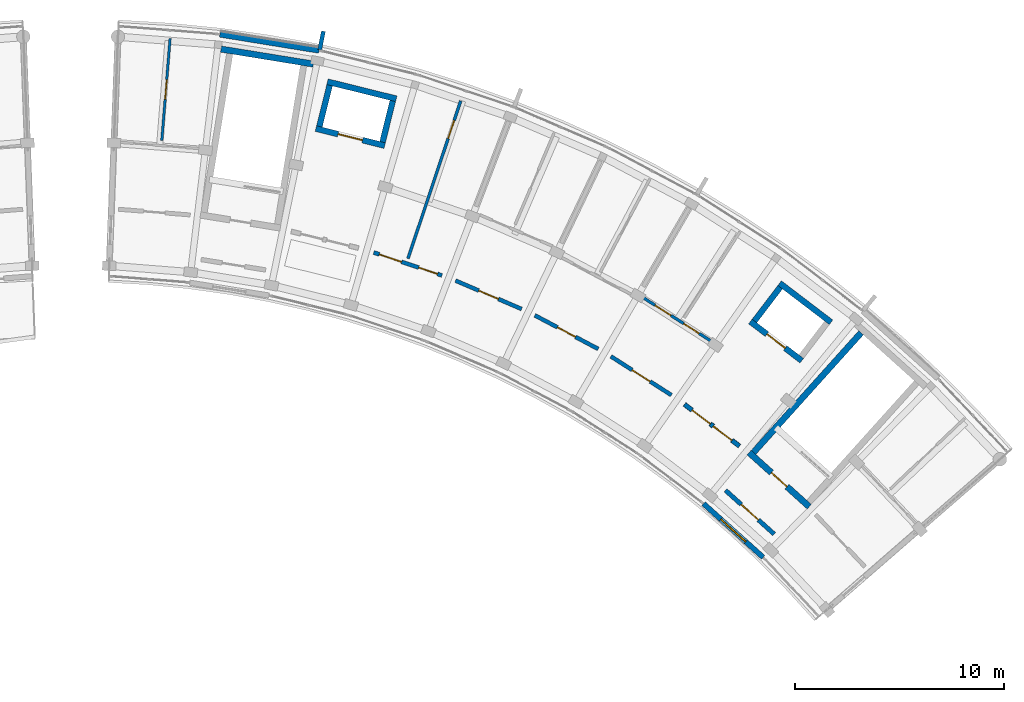
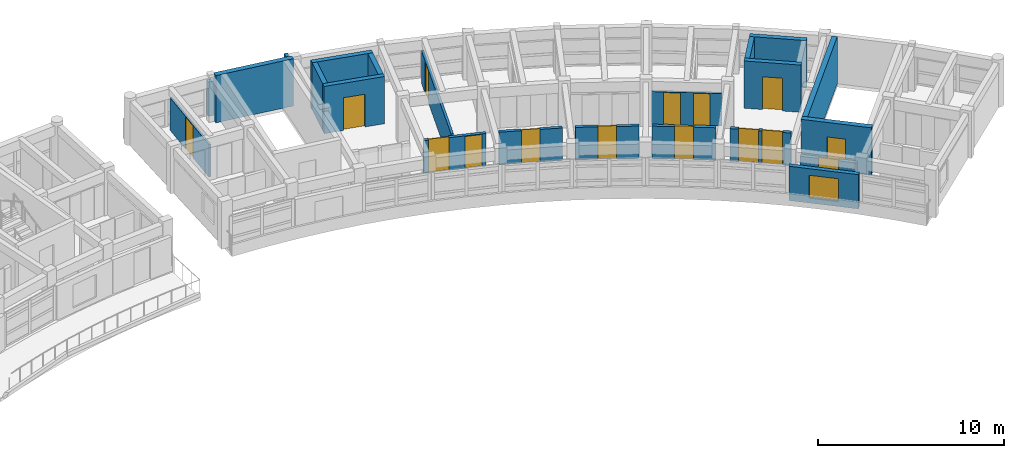
# One storey, part 17 of 23: 22 walls, 15 doors, 1 window, 16 openings.
"""IFC4 building model written with IfcOpenShell, lengths in metres."""

from ifc_helpers import new_model, si_unit, direction, frame, frame_2d, origin, place, context, subcontext, project, spatial, rectangle, extrude, material, layer, layer_set, type_object, element, fill, save


model = new_model("IFC4")

# Units and contexts
model_context = context("Model", 3, precision=1e-05, world=origin(), true_north=direction((0.0, 1.0)))
body_context = subcontext(model_context, "Body", "Model", "MODEL_VIEW")
ifc_project = project(units=[si_unit("LENGTHUNIT", "METRE"), si_unit("AREAUNIT", "SQUARE_METRE"), si_unit("VOLUMEUNIT", "CUBIC_METRE"), si_unit("PLANEANGLEUNIT", "RADIAN"), si_unit("MASSUNIT", "GRAM", prefix="KILO")], contexts=[model_context])

# Site, building, storey
site_placement = place(None, origin())
site = spatial("IfcSite", under=ifc_project, at=site_placement, CompositionType="ELEMENT")
building_placement = place(site_placement, origin())
building = spatial("IfcBuilding", under=site, at=building_placement, Name="Zimvara Arc Housing Community", CompositionType="ELEMENT")
storey_placement = place(building_placement, frame((0.0, 0.0, 36.0)))
storey = spatial("IfcBuildingStorey", under=building, at=storey_placement, Name="L11", CompositionType="ELEMENT", Elevation=36.0)

# Wall
ifc_material_1 = material(Name="Board-Marked Fair-Faced Concrete C35/45", Category="concrete")
ifc_layer_1 = layer(ifc_material_1, 0.195068359375)
ifc_layer_set_1 = layer_set([ifc_layer_1], Name="Board-Marked Fair-Faced Concrete C35/45")
wall_type_1 = type_object("IfcWallType", Name="EWL-PARA-195", PredefinedType="PARAPET", material=ifc_layer_set_1)
wall_1_placement = place(storey_placement, frame((56.907470703125, 102.714599609375, 0.0), z_axis=(0.0, 0.0, 1.0), x_axis=(0.200183211319, 0.979758481416, 0.0)))
element("IfcWall", 1, at=wall_1_placement, inside=storey, type_object=wall_type_1, Name="finwall:blkB:L11:out:b2", PredefinedType="PARAPET", context=body_context, shape_type="SweptSolid", body=[
    extrude(rectangle(XDim=0.900146484375, YDim=0.195068359375, at=frame_2d((0.4501953125, 0.0))), origin(), (0.0, 0.0, 1.0), 2.25),
])

# Wall, opening, window
ifc_material_2 = material(Name="Pigmented Fair-Faced Concrete C35/45", Category="concrete")
ifc_layer_2 = layer(ifc_material_2, 0.2451171875)
ifc_layer_set_2 = layer_set([ifc_layer_2], Name="Pigmented Fair-Faced Concrete C35/45")
wall_type_2 = type_object("IfcWallType", Name="EWL-PIGM-245", PredefinedType="SOLIDWALL", material=ifc_layer_set_2)
wall_2_placement = place(storey_placement, frame((75.26708984375, 81.003173828125, 0.0), z_axis=(0.0, 0.0, 1.0), x_axis=(0.743363835609, -0.668887290886, 0.0)))
wall_2 = element("IfcWall", 2, at=wall_2_placement, inside=storey, type_object=wall_type_2, Name="ewall:blkB:L11:in:b8", PredefinedType="SOLIDWALL", context=body_context, shape_type="SweptSolid", body=[
    extrude(rectangle(XDim=3.83203125, YDim=0.2451171875, at=frame_2d((1.916015625, 0.0))), origin(), (0.0, 0.0, 1.0), 2.25),
])
opening_1_placement = place(wall_2_placement, frame((1.1162109375, 0.0, 0.320068359375)))
opening_1 = element("IfcOpeningElement", 3, at=opening_1_placement, cuts=wall_2, Name="Opening W03", PredefinedType="OPENING", context=body_context, shape_type="SweptSolid", body=[
    extrude(rectangle(XDim=1.60009765625, YDim=1.5, at=frame_2d((0.800048828125, 0.75))), frame((0.0, 0.132568359375, 0.0), z_axis=(0.0, -1.0, 0.0), x_axis=(1.0, 0.0, 0.0)), (0.0, 0.0, 1.0), 0.26513671875),
])
ifc_material_3 = material(Name="Solar Control Low-E Double Glazing", Category="glass")
window_type = type_object("IfcWindowType", Name="WIN-RES-1600x1500", PartitioningType="DOUBLE_PANEL_VERTICAL", PredefinedType="WINDOW", material=ifc_material_3)
window_placement = place(opening_1_placement, origin())
window = element("IfcWindow", 4, at=window_placement, inside=storey, type_object=window_type, Name="win:blkB:L11:in:b8", OverallHeight=1.5, OverallWidth=1.60009765625, PartitioningType="DOUBLE_PANEL_VERTICAL", PredefinedType="WINDOW", context=body_context, shape_type="SweptSolid", body=[
    extrude(rectangle(XDim=1.60009765625, YDim=1.5, at=frame_2d((0.800048828125, 0.75))), frame((0.0, 0.030029296875, 0.0), z_axis=(0.0, -1.0, 0.0), x_axis=(1.0, 0.0, 0.0)), (0.0, 0.0, 1.0), 0.06005859375),
])
fill(opening_1, window)

# Wall
ifc_material_4 = material(Name="Board-Marked Fair-Faced Concrete C35/45", Category="concrete")
ifc_layer_3 = layer(ifc_material_4, 0.27197265625)
ifc_layer_set_3 = layer_set([ifc_layer_3], Name="Board-Marked Fair-Faced Concrete C35/45")
wall_type_3 = type_object("IfcWallType", Name="EWL-VAR-22", PredefinedType="SOLIDWALL", material=ifc_layer_set_3)
wall_3_placement = place(storey_placement, frame((52.1328125, 103.44921875, 0.0), z_axis=(0.0, 0.0, 1.0), x_axis=(0.987080750493, -0.160223568819, 0.0)))
element("IfcWall", 5, at=wall_3_placement, inside=storey, type_object=wall_type_3, Name="ewall:blkB:L11:out:b1", PredefinedType="SOLIDWALL", context=body_context, shape_type="SweptSolid", body=[
    extrude(rectangle(XDim=4.808837890625, YDim=0.27197265625, at=frame_2d((2.404296875, 0.0))), origin(), (0.0, 0.0, 1.0), 2.25),
])

# Wall, openings, doors
ifc_material_5 = material(Name="Concrete C35/45", Category="concrete")
ifc_layer_4 = layer(ifc_material_5, 0.2099609375)
ifc_layer_set_4 = layer_set([ifc_layer_4], Name="Concrete C35/45")
wall_type_4 = type_object("IfcWallType", Name="IWL-CCF-210", PredefinedType="SOLIDWALL", material=ifc_layer_set_4)
wall_4_placement = place(storey_placement, frame((74.356689453125, 85.755859375, 0.0), z_axis=(0.0, 0.0, 1.0), x_axis=(0.795498026433, -0.605956178235, 0.0)))
wall_4 = element("IfcWall", 6, at=wall_4_placement, inside=storey, type_object=wall_type_4, Name="iwall:blkB:L11:ll_div:b7", PredefinedType="SOLIDWALL", context=body_context, shape_type="SweptSolid", body=[
    extrude(rectangle(XDim=3.296142578125, YDim=0.2099609375, at=frame_2d((1.64794921875, 0.0))), origin(), (0.0, 0.0, 1.0), 2.139892578125),
])
opening_2_placement = place(wall_4_placement, frame((0.449951171875, 0.0, 0.0)))
opening_2 = element("IfcOpeningElement", 7, at=opening_2_placement, cuts=wall_4, Name="Opening FD-CCF1", PredefinedType="OPENING", context=body_context, shape_type="SweptSolid", body=[
    extrude(rectangle(XDim=1.10009765625, YDim=2.14990234375, at=frame_2d((0.550048828125, 1.074951171875))), frame((0.0, 0.114990234375, 0.0), z_axis=(0.0, -1.0, 0.0), x_axis=(1.0, 0.0, 0.0)), (0.0, 0.0, 1.0), 0.22998046875),
])
opening_3_placement = place(wall_4_placement, frame((1.72607421875, 0.0, 0.0)))
opening_3 = element("IfcOpeningElement", 8, at=opening_3_placement, cuts=wall_4, Name="Opening D07", PredefinedType="OPENING", context=body_context, shape_type="SweptSolid", body=[
    extrude(rectangle(XDim=1.1201171875, YDim=2.14990234375, at=frame_2d((0.56005859375, 1.074951171875))), frame((0.0, 0.114990234375, 0.0), z_axis=(0.0, -1.0, 0.0), x_axis=(1.0, 0.0, 0.0)), (0.0, 0.0, 1.0), 0.22998046875),
])
ifc_material_6 = material(Name="Mozambican Hardwood", Category="wood")
door_type_1 = type_object("IfcDoorType", Name="IDR-AMN-1120x2150", OperationType="NOTDEFINED", PredefinedType="DOOR", material=ifc_material_6)
door_1_placement = place(opening_3_placement, origin())
door_1 = element("IfcDoor", 9, at=door_1_placement, inside=storey, type_object=door_type_1, Name="idoor:blkB:L11:rs_in:b7", OperationType="SINGLE_SWING_LEFT", OverallHeight=2.14990234375, OverallWidth=1.1201171875, PredefinedType="DOOR", context=body_context, shape_type="SweptSolid", body=[
    extrude(rectangle(XDim=1.1201171875, YDim=2.14990234375, at=frame_2d((0.56005859375, 1.074951171875))), frame((0.0, 0.02490234375, 0.0), z_axis=(0.0, -1.0, 0.0), x_axis=(1.0, 0.0, 0.0)), (0.0, 0.0, 1.0), 0.050048828125),
])
fill(opening_3, door_1)
ifc_material_7 = material(Name="Anodised Aluminium AW-6063", Category="aluminium")
door_type_2 = type_object("IfcDoorType", Name="IDR-CCF-1100x2150", OperationType="NOTDEFINED", PredefinedType="DOOR", material=ifc_material_7)
door_2_placement = place(opening_2_placement, origin())
door_2 = element("IfcDoor", 10, at=door_2_placement, inside=storey, type_object=door_type_2, Name="idoor:blkB:L11:ll_in:b7", OperationType="SINGLE_SWING_RIGHT", OverallHeight=2.14990234375, OverallWidth=1.10009765625, PredefinedType="DOOR", context=body_context, shape_type="SweptSolid", body=[
    extrude(rectangle(XDim=1.10009765625, YDim=2.14990234375, at=frame_2d((0.550048828125, 1.074951171875))), frame((0.0, 0.02490234375, 0.0), z_axis=(0.0, -1.0, 0.0), x_axis=(1.0, 0.0, 0.0)), (0.0, 0.0, 1.0), 0.050048828125),
])
fill(opening_2, door_2)

# Wall, opening, door
wall_5_placement = place(storey_placement, frame((76.317138671875, 81.644287109375, 0.0), z_axis=(0.0, 0.0, 1.0), x_axis=(0.743387266925, -0.668861249718, 0.0)))
wall_5 = element("IfcWall", 11, at=wall_5_placement, inside=storey, type_object=wall_type_4, Name="iwall:blkB:L11:ccf_div:b8", PredefinedType="SOLIDWALL", context=body_context, shape_type="SweptSolid", body=[
    extrude(rectangle(XDim=3.12841796875, YDim=0.2099609375, at=frame_2d((1.564208984375, 0.0))), origin(), (0.0, 0.0, 1.0), 2.139892578125),
])
opening_4_placement = place(wall_5_placement, frame((1.014404296875, 0.0, 0.0)))
opening_4 = element("IfcOpeningElement", 12, at=opening_4_placement, cuts=wall_5, Name="Opening FD-CCF1", PredefinedType="OPENING", context=body_context, shape_type="SweptSolid", body=[
    extrude(rectangle(XDim=1.10009765625, YDim=2.14990234375, at=frame_2d((0.550048828125, 1.074951171875))), frame((0.0, 0.114990234375, 0.0), z_axis=(0.0, -1.0, 0.0), x_axis=(1.0, 0.0, 0.0)), (0.0, 0.0, 1.0), 0.22998046875),
])
door_3_placement = place(opening_4_placement, origin())
door_3 = element("IfcDoor", 13, at=door_3_placement, inside=storey, type_object=door_type_2, Name="idoor:blkB:L11:ccf_in:b8", OperationType="SINGLE_SWING_RIGHT", OverallHeight=2.14990234375, OverallWidth=1.10009765625, PredefinedType="DOOR", context=body_context, shape_type="SweptSolid", body=[
    extrude(rectangle(XDim=1.10009765625, YDim=2.14990234375, at=frame_2d((0.550048828125, 1.074951171875))), frame((0.0, 0.02490234375, 0.0), z_axis=(0.0, -1.0, 0.0), x_axis=(1.0, 0.0, 0.0)), (0.0, 0.0, 1.0), 0.050048828125),
])
fill(opening_4, door_3)

# Wall, openings, doors
ifc_material_8 = material(Name="Concrete C35/45", Category="concrete")
ifc_layer_5 = layer(ifc_material_8, 0.18994140625)
ifc_layer_set_5 = layer_set([ifc_layer_5], Name="Concrete C35/45")
wall_type_5 = type_object("IfcWallType", Name="IWL-CORR-190", PredefinedType="SOLIDWALL", material=ifc_layer_set_5)
wall_6_placement = place(storey_placement, frame((59.49658203125, 93.017578125, 0.0), z_axis=(0.0, 0.0, 1.0), x_axis=(0.947863007629, -0.318678080151, 0.0)))
wall_6 = element("IfcWall", 14, at=wall_6_placement, inside=storey, type_object=wall_type_5, Name="iwall:blkB:L11:corr_out:b3", PredefinedType="SOLIDWALL", context=body_context, shape_type="SweptSolid", body=[
    extrude(rectangle(XDim=3.43603515625, YDim=0.18994140625, at=frame_2d((1.718017578125, 0.0))), origin(), (0.0, 0.0, 1.0), 2.139892578125),
])
opening_5_placement = place(wall_6_placement, frame((0.280029296875, 0.0, 0.0)))
opening_5 = element("IfcOpeningElement", 15, at=opening_5_placement, cuts=wall_6, Name="Opening D07", PredefinedType="OPENING", context=body_context, shape_type="SweptSolid", body=[
    extrude(rectangle(XDim=1.1201171875, YDim=2.14990234375, at=frame_2d((0.56005859375, 1.074951171875))), frame((0.0, 0.10498046875, 0.0), z_axis=(0.0, -1.0, 0.0), x_axis=(1.0, 0.0, 0.0)), (0.0, 0.0, 1.0), 0.2099609375),
])
opening_6_placement = place(wall_6_placement, frame((2.26611328125, 0.0, 0.0)))
opening_6 = element("IfcOpeningElement", 16, at=opening_6_placement, cuts=wall_6, Name="Opening D06", PredefinedType="OPENING", context=body_context, shape_type="SweptSolid", body=[
    extrude(rectangle(XDim=0.949951171875, YDim=2.10009765625, at=frame_2d((0.47509765625, 1.050048828125))), frame((0.0, 0.10498046875, 0.0), z_axis=(0.0, -1.0, 0.0), x_axis=(1.0, 0.0, 0.0)), (0.0, 0.0, 1.0), 0.2099609375),
])
door_4_placement = place(opening_5_placement, origin())
door_4 = element("IfcDoor", 17, at=door_4_placement, inside=storey, type_object=door_type_1, Name="idoor:blkB:L11:amen:b3", OperationType="SINGLE_SWING_LEFT", OverallHeight=2.14990234375, OverallWidth=1.1201171875, PredefinedType="DOOR", context=body_context, shape_type="SweptSolid", body=[
    extrude(rectangle(XDim=1.1201171875, YDim=2.14990234375, at=frame_2d((0.56005859375, 1.074951171875))), frame((0.0, 0.02490234375, 0.0), z_axis=(0.0, -1.0, 0.0), x_axis=(1.0, 0.0, 0.0)), (0.0, 0.0, 1.0), 0.050048828125),
])
fill(opening_5, door_4)
ifc_material_9 = material(Name="Mozambican Hardwood", Category="wood")
door_type_3 = type_object("IfcDoorType", Name="IDR-AWC-0950x2100", OperationType="NOTDEFINED", PredefinedType="DOOR", material=ifc_material_9)
door_5_placement = place(opening_6_placement, origin())
door_5 = element("IfcDoor", 18, at=door_5_placement, inside=storey, type_object=door_type_3, Name="idoor:blkB:L11:cawc:b3", OperationType="SINGLE_SWING_RIGHT", OverallHeight=2.10009765625, OverallWidth=0.949951171875, PredefinedType="DOOR", context=body_context, shape_type="SweptSolid", body=[
    extrude(rectangle(XDim=0.949951171875, YDim=2.10009765625, at=frame_2d((0.47509765625, 1.050048828125))), frame((0.0, 0.02490234375, 0.0), z_axis=(0.0, -1.0, 0.0), x_axis=(1.0, 0.0, 0.0)), (0.0, 0.0, 1.0), 0.050048828125),
])
fill(opening_6, door_5)

# Wall, opening, door
wall_7_placement = place(storey_placement, frame((63.40673828125, 91.6728515625, 0.0), z_axis=(0.0, 0.0, 1.0), x_axis=(0.918718172399, -0.394913813008, 0.0)))
wall_7 = element("IfcWall", 19, at=wall_7_placement, inside=storey, type_object=wall_type_5, Name="iwall:blkB:L11:corr_out:b4", PredefinedType="SOLIDWALL", context=body_context, shape_type="SweptSolid", body=[
    extrude(rectangle(XDim=3.43603515625, YDim=0.18994140625, at=frame_2d((1.718017578125, 0.0))), origin(), (0.0, 0.0, 1.0), 2.139892578125),
])
opening_7_placement = place(wall_7_placement, frame((1.2080078125, 0.0, 0.0)))
opening_7 = element("IfcOpeningElement", 20, at=opening_7_placement, cuts=wall_7, Name="Opening FD-FL2", PredefinedType="OPENING", context=body_context, shape_type="SweptSolid", body=[
    extrude(rectangle(XDim=1.02001953125, YDim=2.14990234375, at=frame_2d((0.510009765625, 1.074951171875))), frame((0.0, 0.10498046875, 0.0), z_axis=(0.0, -1.0, 0.0), x_axis=(1.0, 0.0, 0.0)), (0.0, 0.0, 1.0), 0.2099609375),
])
ifc_material_10 = material(Name="Mozambican Hardwood", Category="wood")
door_type_4 = type_object("IfcDoorType", Name="IDR-FLAT-1020x2150", OperationType="NOTDEFINED", PredefinedType="DOOR", material=ifc_material_10)
door_6_placement = place(opening_7_placement, origin())
door_6 = element("IfcDoor", 21, at=door_6_placement, inside=storey, type_object=door_type_4, Name="idoor:blkB:L11:flat:b4", OperationType="SINGLE_SWING_RIGHT", OverallHeight=2.14990234375, OverallWidth=1.02001953125, PredefinedType="DOOR", context=body_context, shape_type="SweptSolid", body=[
    extrude(rectangle(XDim=1.02001953125, YDim=2.14990234375, at=frame_2d((0.510009765625, 1.074951171875))), frame((0.0, 0.02490234375, 0.0), z_axis=(0.0, -1.0, 0.0), x_axis=(1.0, 0.0, 0.0)), (0.0, 0.0, 1.0), 0.050048828125),
])
fill(opening_7, door_6)

wall_8_placement = place(storey_placement, frame((67.1943359375, 90.013916015625, 0.0), z_axis=(0.0, 0.0, 1.0), x_axis=(0.883410853063, -0.468599258099, 0.0)))
wall_8 = element("IfcWall", 22, at=wall_8_placement, inside=storey, type_object=wall_type_5, Name="iwall:blkB:L11:corr_out:b5", PredefinedType="SOLIDWALL", context=body_context, shape_type="SweptSolid", body=[
    extrude(rectangle(XDim=3.43603515625, YDim=0.18994140625, at=frame_2d((1.718017578125, 0.0))), origin(), (0.0, 0.0, 1.0), 2.139892578125),
])
opening_8_placement = place(wall_8_placement, frame((1.22802734375, 0.0, 0.0)))
opening_8 = element("IfcOpeningElement", 23, at=opening_8_placement, cuts=wall_8, Name="Opening FD-FL1", PredefinedType="OPENING", context=body_context, shape_type="SweptSolid", body=[
    extrude(rectangle(XDim=0.97998046875, YDim=2.14990234375, at=frame_2d((0.489990234375, 1.074951171875))), frame((0.0, 0.10498046875, 0.0), z_axis=(0.0, -1.0, 0.0), x_axis=(1.0, 0.0, 0.0)), (0.0, 0.0, 1.0), 0.2099609375),
])
ifc_material_11 = material(Name="Mozambican Hardwood", Category="wood")
door_type_5 = type_object("IfcDoorType", Name="IDR-FLAT-0980x2150", OperationType="NOTDEFINED", PredefinedType="DOOR", material=ifc_material_11)
door_7_placement = place(opening_8_placement, origin())
door_7 = element("IfcDoor", 24, at=door_7_placement, inside=storey, type_object=door_type_5, Name="idoor:blkB:L11:flat:b5", OperationType="SINGLE_SWING_RIGHT", OverallHeight=2.14990234375, OverallWidth=0.97998046875, PredefinedType="DOOR", context=body_context, shape_type="SweptSolid", body=[
    extrude(rectangle(XDim=0.97998046875, YDim=2.14990234375, at=frame_2d((0.489990234375, 1.074951171875))), frame((0.0, 0.02490234375, 0.0), z_axis=(0.0, -1.0, 0.0), x_axis=(1.0, 0.0, 0.0)), (0.0, 0.0, 1.0), 0.050048828125),
])
fill(opening_8, door_7)

wall_9_placement = place(storey_placement, frame((70.833740234375, 88.05126953125, 0.0), z_axis=(0.0, 0.0, 1.0), x_axis=(0.842257205985, -0.539075874963, 0.0)))
wall_9 = element("IfcWall", 25, at=wall_9_placement, inside=storey, type_object=wall_type_5, Name="iwall:blkB:L11:corr_out:b6", PredefinedType="SOLIDWALL", context=body_context, shape_type="SweptSolid", body=[
    extrude(rectangle(XDim=3.43603515625, YDim=0.18994140625, at=frame_2d((1.718017578125, 0.0))), origin(), (0.0, 0.0, 1.0), 2.139892578125),
])
opening_9_placement = place(wall_9_placement, frame((1.2080078125, 0.0, 0.0)))
opening_9 = element("IfcOpeningElement", 26, at=opening_9_placement, cuts=wall_9, Name="Opening FD-FL2", PredefinedType="OPENING", context=body_context, shape_type="SweptSolid", body=[
    extrude(rectangle(XDim=1.02001953125, YDim=2.14990234375, at=frame_2d((0.510009765625, 1.074951171875))), frame((0.0, 0.10498046875, 0.0), z_axis=(0.0, -1.0, 0.0), x_axis=(1.0, 0.0, 0.0)), (0.0, 0.0, 1.0), 0.2099609375),
])
door_8_placement = place(opening_9_placement, origin())
door_8 = element("IfcDoor", 27, at=door_8_placement, inside=storey, type_object=door_type_4, Name="idoor:blkB:L11:flat:b6", OperationType="SINGLE_SWING_RIGHT", OverallHeight=2.14990234375, OverallWidth=1.02001953125, PredefinedType="DOOR", context=body_context, shape_type="SweptSolid", body=[
    extrude(rectangle(XDim=1.02001953125, YDim=2.14990234375, at=frame_2d((0.510009765625, 1.074951171875))), frame((0.0, 0.02490234375, 0.0), z_axis=(0.0, -1.0, 0.0), x_axis=(1.0, 0.0, 0.0)), (0.0, 0.0, 1.0), 0.050048828125),
])
fill(opening_9, door_8)

ifc_material_12 = material(Name="Painted Acoustic Plasterboard")
ifc_layer_6 = layer(ifc_material_12, 0.1201171875)
ifc_layer_set_6 = layer_set([ifc_layer_6], Name="Painted Acoustic Plasterboard")
wall_type_6 = type_object("IfcWallType", Name="IWL-PART-120", PredefinedType="PARTITIONING", material=ifc_layer_set_6)
wall_10_placement = place(storey_placement, frame((49.359619140625, 98.373779296875, 0.0), z_axis=(0.0, 0.0, 1.0), x_axis=(0.080666032472, 0.996741185667, 0.0)))
wall_10 = element("IfcWall", 28, at=wall_10_placement, inside=storey, type_object=wall_type_6, Name="iwall:blkB:L11:bed_div:b0", PredefinedType="PARTITIONING", context=body_context, shape_type="SweptSolid", body=[
    extrude(rectangle(XDim=4.89990234375, YDim=0.1201171875, at=frame_2d((2.449951171875, 0.0))), origin(), (0.0, 0.0, 1.0), 2.139892578125),
])
opening_10_placement = place(wall_10_placement, frame((1.97998046875, 0.0, 0.0)))
opening_10 = element("IfcOpeningElement", 29, at=opening_10_placement, cuts=wall_10, Name="Opening D03", PredefinedType="OPENING", context=body_context, shape_type="SweptSolid", body=[
    extrude(rectangle(XDim=0.93994140625, YDim=2.10009765625, at=frame_2d((0.469970703125, 1.050048828125))), frame((0.0, 0.070068359375, 0.0), z_axis=(0.0, -1.0, 0.0), x_axis=(1.0, 0.0, 0.0)), (0.0, 0.0, 1.0), 0.14013671875),
])
ifc_material_13 = material(Name="Mozambican Hardwood", Category="wood")
door_type_6 = type_object("IfcDoorType", Name="IDR-RM-0940x2100", OperationType="NOTDEFINED", PredefinedType="DOOR", material=ifc_material_13)
door_9_placement = place(opening_10_placement, origin())
door_9 = element("IfcDoor", 30, at=door_9_placement, inside=storey, type_object=door_type_6, Name="idoor:blkB:L11:bed_d:b0", OperationType="SINGLE_SWING_LEFT", OverallHeight=2.10009765625, OverallWidth=0.93994140625, PredefinedType="DOOR", context=body_context, shape_type="SweptSolid", body=[
    extrude(rectangle(XDim=0.93994140625, YDim=2.10009765625, at=frame_2d((0.469970703125, 1.050048828125))), frame((0.0, 0.02490234375, 0.0), z_axis=(0.0, -1.0, 0.0), x_axis=(1.0, 0.0, 0.0)), (0.0, 0.0, 1.0), 0.050048828125),
])
fill(opening_10, door_9)

ifc_material_14 = material(Name="Painted Acoustic Plasterboard")
ifc_layer_7 = layer(ifc_material_14, 0.139892578125)
ifc_layer_set_7 = layer_set([ifc_layer_7], Name="Painted Acoustic Plasterboard")
wall_type_7 = type_object("IfcWallType", Name="IWL-PART-140", PredefinedType="PARTITIONING", material=ifc_layer_set_7)
wall_11_placement = place(storey_placement, frame((61.129638671875, 92.72412109375, 0.0), z_axis=(0.0, 0.0, 1.0), x_axis=(0.317204178278, 0.948357268798, 0.0)))
wall_11 = element("IfcWall", 31, at=wall_11_placement, inside=storey, type_object=wall_type_7, Name="iwall:blkB:L11:amen_div:b3", PredefinedType="PARTITIONING", context=body_context, shape_type="SweptSolid", body=[
    extrude(rectangle(XDim=7.949951171875, YDim=0.139892578125, at=frame_2d((3.97509765625, 0.0))), origin(), (0.0, 0.0, 1.0), 2.139892578125),
])
opening_11_placement = place(wall_11_placement, frame((6.050048828125, 0.0, 0.0)))
opening_11 = element("IfcOpeningElement", 32, at=opening_11_placement, cuts=wall_11, Name="Opening D02", PredefinedType="OPENING", context=body_context, shape_type="SweptSolid", body=[
    extrude(rectangle(XDim=0.919921875, YDim=2.10009765625, at=frame_2d((0.4599609375, 1.050048828125))), frame((0.0, 0.079833984375, 0.0), z_axis=(0.0, -1.0, 0.0), x_axis=(1.0, 0.0, 0.0)), (0.0, 0.0, 1.0), 0.159912109375),
])
ifc_material_15 = material(Name="Mozambican Hardwood", Category="wood")
door_type_7 = type_object("IfcDoorType", Name="IDR-RM-0920x2100", OperationType="NOTDEFINED", PredefinedType="DOOR", material=ifc_material_15)
door_10_placement = place(opening_11_placement, origin())
door_10 = element("IfcDoor", 33, at=door_10_placement, inside=storey, type_object=door_type_7, Name="idoor:blkB:L11:laund_d:b3", OperationType="SINGLE_SWING_LEFT", OverallHeight=2.10009765625, OverallWidth=0.919921875, PredefinedType="DOOR", context=body_context, shape_type="SweptSolid", body=[
    extrude(rectangle(XDim=0.919921875, YDim=2.10009765625, at=frame_2d((0.4599609375, 1.050048828125))), frame((0.0, 0.02490234375, 0.0), z_axis=(0.0, -1.0, 0.0), x_axis=(1.0, 0.0, 0.0)), (0.0, 0.0, 1.0), 0.050048828125),
])
fill(opening_11, door_10)

# Wall, openings, doors
wall_12_placement = place(storey_placement, frame((72.4052734375, 90.841552734375, 0.0), z_axis=(0.0, 0.0, 1.0), x_axis=(0.842271400662, -0.539053696423, 0.0)))
wall_12 = element("IfcWall", 34, at=wall_12_placement, inside=storey, type_object=wall_type_7, Name="iwall:blkB:L11:srv:b6", PredefinedType="PARTITIONING", context=body_context, shape_type="SweptSolid", body=[
    extrude(rectangle(XDim=3.797119140625, YDim=0.139892578125, at=frame_2d((1.8984375, 0.0))), origin(), (0.0, 0.0, 1.0), 2.139892578125),
])
opening_12_placement = place(wall_12_placement, frame((0.64990234375, 0.0, 0.0)))
opening_12 = element("IfcOpeningElement", 35, at=opening_12_placement, cuts=wall_12, Name="Opening D01", PredefinedType="OPENING", context=body_context, shape_type="SweptSolid", body=[
    extrude(rectangle(XDim=0.89990234375, YDim=2.10009765625, at=frame_2d((0.449951171875, 1.050048828125))), frame((0.0, 0.079833984375, 0.0), z_axis=(0.0, -1.0, 0.0), x_axis=(1.0, 0.0, 0.0)), (0.0, 0.0, 1.0), 0.159912109375),
])
opening_13_placement = place(wall_12_placement, frame((2.267333984375, 0.0, 0.0)))
opening_13 = element("IfcOpeningElement", 36, at=opening_13_placement, cuts=wall_12, Name="Opening D05", PredefinedType="OPENING", context=body_context, shape_type="SweptSolid", body=[
    extrude(rectangle(XDim=0.8798828125, YDim=2.10009765625, at=frame_2d((0.43994140625, 1.050048828125))), frame((0.0, 0.079833984375, 0.0), z_axis=(0.0, -1.0, 0.0), x_axis=(1.0, 0.0, 0.0)), (0.0, 0.0, 1.0), 0.159912109375),
])
ifc_material_16 = material(Name="Mozambican Hardwood", Category="wood")
door_type_8 = type_object("IfcDoorType", Name="IDR-RM-0900x2100", OperationType="NOTDEFINED", PredefinedType="DOOR", material=ifc_material_16)
door_11_placement = place(opening_12_placement, origin())
door_11 = element("IfcDoor", 37, at=door_11_placement, inside=storey, type_object=door_type_8, Name="idoor:blkB:L11:kit_liv:b6", OperationType="SINGLE_SWING_LEFT", OverallHeight=2.10009765625, OverallWidth=0.89990234375, PredefinedType="DOOR", context=body_context, shape_type="SweptSolid", body=[
    extrude(rectangle(XDim=0.89990234375, YDim=2.10009765625, at=frame_2d((0.449951171875, 1.050048828125))), frame((0.0, 0.02490234375, 0.0), z_axis=(0.0, -1.0, 0.0), x_axis=(1.0, 0.0, 0.0)), (0.0, 0.0, 1.0), 0.050048828125),
])
fill(opening_12, door_11)
ifc_material_17 = material(Name="Mozambican Hardwood", Category="wood")
door_type_9 = type_object("IfcDoorType", Name="IDR-WC-0880x2100", OperationType="NOTDEFINED", PredefinedType="DOOR", material=ifc_material_17)
door_12_placement = place(opening_13_placement, origin())
door_12 = element("IfcDoor", 38, at=door_12_placement, inside=storey, type_object=door_type_9, Name="idoor:blkB:L11:bath_d:b6", OperationType="SINGLE_SWING_RIGHT", OverallHeight=2.10009765625, OverallWidth=0.8798828125, PredefinedType="DOOR", context=body_context, shape_type="SweptSolid", body=[
    extrude(rectangle(XDim=0.8798828125, YDim=2.10009765625, at=frame_2d((0.43994140625, 1.050048828125))), frame((0.0, 0.02490234375, 0.0), z_axis=(0.0, -1.0, 0.0), x_axis=(1.0, 0.0, 0.0)), (0.0, 0.0, 1.0), 0.050048828125),
])
fill(opening_13, door_12)

# Wall, opening, door
ifc_material_18 = material(Name="Concrete C40/50", Category="concrete")
ifc_layer_8 = layer(ifc_material_18, 0.280029296875)
ifc_layer_set_8 = layer_set([ifc_layer_8], Name="Concrete C40/50")
wall_type_8 = type_object("IfcWallType", Name="WL-CORE-280", PredefinedType="SHEAR", material=ifc_layer_set_8)
wall_13_placement = place(storey_placement, frame((60.017578125, 98.127685546875, 0.0), z_axis=(0.0, 0.0, 1.0), x_axis=(-0.970707542441, 0.240264160972, 0.0)))
wall_13 = element("IfcWall", 39, at=wall_13_placement, inside=storey, type_object=wall_type_8, Name="lwall:LF-B1:L11:front", PredefinedType="SHEAR", context=body_context, shape_type="SweptSolid", body=[
    extrude(rectangle(XDim=3.389892578125, YDim=0.280029296875, at=frame_2d((1.69482421875, 0.0))), origin(), (0.0, 0.0, 1.0), 3.10009765625),
])
opening_14_placement = place(wall_13_placement, frame((1.094970703125, 0.0, 0.0)))
opening_14 = element("IfcOpeningElement", 40, at=opening_14_placement, cuts=wall_13, Name="Opening LD-LF-B1", PredefinedType="OPENING", context=body_context, shape_type="SweptSolid", body=[
    extrude(rectangle(XDim=1.199951171875, YDim=2.14990234375, at=frame_2d((0.60009765625, 1.074951171875))), frame((0.0, 0.14990234375, 0.0), z_axis=(0.0, -1.0, 0.0), x_axis=(1.0, 0.0, 0.0)), (0.0, 0.0, 1.0), 0.300048828125),
])
ifc_material_19 = material(Name="Anodised Aluminium AW-6063", Category="aluminium")
door_type_10 = type_object("IfcDoorType", Name="IDR-LD-1200x2150", OperationType="DOUBLE_DOOR_SLIDING", PredefinedType="DOOR", material=ifc_material_19)
door_13_placement = place(opening_14_placement, origin())
door_13 = element("IfcDoor", 41, at=door_13_placement, inside=storey, type_object=door_type_10, Name="Lift LF-B1 Sliding Landing Door L11", OperationType="DOUBLE_DOOR_SLIDING", OverallHeight=2.14990234375, OverallWidth=1.199951171875, PredefinedType="DOOR", context=body_context, shape_type="SweptSolid", body=[
    extrude(rectangle(XDim=1.199951171875, YDim=2.14990234375, at=frame_2d((0.60009765625, 1.074951171875))), frame((0.0, 0.02490234375, 0.0), z_axis=(0.0, -1.0, 0.0), x_axis=(1.0, 0.0, 0.0)), (0.0, 0.0, 1.0), 0.050048828125),
])
fill(opening_14, door_13)

# Walls
wall_14_placement = place(storey_placement, frame((60.572509765625, 100.3701171875, 0.0), z_axis=(0.0, 0.0, 1.0), x_axis=(-0.970711699588, 0.240247364777, 0.0)))
element("IfcWall", 42, at=wall_14_placement, inside=storey, type_object=wall_type_8, Name="lwall:LF-B1:L11:back", PredefinedType="SHEAR", context=body_context, shape_type="SweptSolid", body=[
    extrude(rectangle(XDim=3.39013671875, YDim=0.280029296875, at=frame_2d((1.695068359375, 0.0))), origin(), (0.0, 0.0, 1.0), 3.10009765625),
])
wall_15_placement = place(storey_placement, frame((59.915283203125, 98.29736328125, 0.0), z_axis=(0.0, 0.0, 1.0), x_axis=(0.2402993748, 0.970698825832, 0.0)))
element("IfcWall", 43, at=wall_15_placement, inside=storey, type_object=wall_type_8, Name="lwall:LF-B1:L11:left", PredefinedType="SHEAR", context=body_context, shape_type="SweptSolid", body=[
    extrude(rectangle(XDim=2.030029296875, YDim=0.280029296875, at=frame_2d((1.01513671875, 0.0))), origin(), (0.0, 0.0, 1.0), 3.10009765625),
])
wall_16_placement = place(storey_placement, frame((56.896484375, 99.04443359375, 0.0), z_axis=(0.0, 0.0, 1.0), x_axis=(0.240186044774, 0.970726873995, 0.0)))
element("IfcWall", 44, at=wall_16_placement, inside=storey, type_object=wall_type_8, Name="lwall:LF-B1:L11:right", PredefinedType="SHEAR", context=body_context, shape_type="SweptSolid", body=[
    extrude(rectangle(XDim=2.02978515625, YDim=0.280029296875, at=frame_2d((1.014892578125, 0.0))), origin(), (0.0, 0.0, 1.0), 3.10009765625),
])

# Wall, opening, door
wall_17_placement = place(storey_placement, frame((79.96142578125, 87.84375, 0.0), z_axis=(0.0, 0.0, 1.0), x_axis=(-0.795464365424, 0.606000365793, 0.0)))
wall_17 = element("IfcWall", 45, at=wall_17_placement, inside=storey, type_object=wall_type_8, Name="lwall:LP-B2:L11:front", PredefinedType="SHEAR", context=body_context, shape_type="SweptSolid", body=[
    extrude(rectangle(XDim=3.090087890625, YDim=0.280029296875, at=frame_2d((1.544921875, 0.0))), origin(), (0.0, 0.0, 1.0), 3.10009765625),
])
opening_15_placement = place(wall_17_placement, frame((0.9951171875, 0.0, 0.0)))
opening_15 = element("IfcOpeningElement", 46, at=opening_15_placement, cuts=wall_17, Name="Opening LD-LP-B2", PredefinedType="OPENING", context=body_context, shape_type="SweptSolid", body=[
    extrude(rectangle(XDim=1.10009765625, YDim=2.14990234375, at=frame_2d((0.550048828125, 1.074951171875))), frame((0.0, 0.14990234375, 0.0), z_axis=(0.0, -1.0, 0.0), x_axis=(1.0, 0.0, 0.0)), (0.0, 0.0, 1.0), 0.300048828125),
])
ifc_material_20 = material(Name="Anodised Aluminium AW-6063", Category="aluminium")
door_type_11 = type_object("IfcDoorType", Name="IDR-LD-1100x2150", OperationType="DOUBLE_DOOR_SLIDING", PredefinedType="DOOR", material=ifc_material_20)
door_14_placement = place(opening_15_placement, origin())
door_14 = element("IfcDoor", 47, at=door_14_placement, inside=storey, type_object=door_type_11, Name="Lift LP-B2 Sliding Landing Door L11", OperationType="DOUBLE_DOOR_SLIDING", OverallHeight=2.14990234375, OverallWidth=1.10009765625, PredefinedType="DOOR", context=body_context, shape_type="SweptSolid", body=[
    extrude(rectangle(XDim=1.10009765625, YDim=2.14990234375, at=frame_2d((0.550048828125, 1.074951171875))), frame((0.0, 0.02490234375, 0.0), z_axis=(0.0, -1.0, 0.0), x_axis=(1.0, 0.0, 0.0)), (0.0, 0.0, 1.0), 0.050048828125),
])
fill(opening_15, door_14)

# Walls
wall_18_placement = place(storey_placement, frame((81.361083984375, 89.681396484375, 0.0), z_axis=(0.0, 0.0, 1.0), x_axis=(-0.795502452183, 0.605950368076, 0.0)))
element("IfcWall", 48, at=wall_18_placement, inside=storey, type_object=wall_type_8, Name="lwall:LP-B2:L11:back", PredefinedType="SHEAR", context=body_context, shape_type="SweptSolid", body=[
    extrude(rectangle(XDim=3.08984375, YDim=0.280029296875, at=frame_2d((1.544921875, 0.0))), origin(), (0.0, 0.0, 1.0), 3.10009765625),
])
wall_19_placement = place(storey_placement, frame((77.699462890625, 89.742919921875, 0.0), z_axis=(0.0, 0.0, 1.0), x_axis=(0.606025097418, 0.795445523779, 0.0)))
element("IfcWall", 49, at=wall_19_placement, inside=storey, type_object=wall_type_8, Name="lwall:LP-B2:L11:right", PredefinedType="SHEAR", context=body_context, shape_type="SweptSolid", body=[
    extrude(rectangle(XDim=2.030029296875, YDim=0.280029296875, at=frame_2d((1.01513671875, 0.0))), origin(), (0.0, 0.0, 1.0), 3.10009765625),
])
ifc_material_21 = material(Name="Concrete C40/50", Category="concrete")
ifc_layer_9 = layer(ifc_material_21, 0.300048828125)
ifc_layer_set_9 = layer_set([ifc_layer_9], Name="Concrete C40/50")
wall_type_9 = type_object("IfcWallType", Name="WL-CORE-300", PredefinedType="SHEAR", material=ifc_layer_set_9)
wall_20_placement = place(storey_placement, frame((56.6025390625, 102.029296875, 0.0), z_axis=(0.0, 0.0, 1.0), x_axis=(-0.987084710126, 0.160199173019, 0.0)))
element("IfcWall", 50, at=wall_20_placement, inside=storey, type_object=wall_type_9, Name="cwall:ST-B1:L11:far", PredefinedType="SHEAR", context=body_context, shape_type="SweptSolid", body=[
    extrude(rectangle(XDim=4.4697265625, YDim=0.300048828125, at=frame_2d((2.23486328125, 0.0))), origin(), (0.0, 0.0, 1.0), 3.10009765625),
])

# Wall, opening, door
wall_21_placement = place(storey_placement, frame((80.320068359375, 80.861572265625, 0.0), z_axis=(0.0, 0.0, 1.0), x_axis=(-0.743375696158, 0.668874109501, 0.0)))
wall_21 = element("IfcWall", 51, at=wall_21_placement, inside=storey, type_object=wall_type_9, Name="cwall:ST-B2:L11:near", PredefinedType="SHEAR", context=body_context, shape_type="SweptSolid", body=[
    extrude(rectangle(XDim=3.8701171875, YDim=0.300048828125, at=frame_2d((1.93505859375, 0.0))), origin(), (0.0, 0.0, 1.0), 3.10009765625),
])
opening_16_placement = place(wall_21_placement, frame((1.43505859375, 0.0, 0.0)))
opening_16 = element("IfcOpeningElement", 52, at=opening_16_placement, cuts=wall_21, Name="Opening FD-ST1", PredefinedType="OPENING", context=body_context, shape_type="SweptSolid", body=[
    extrude(rectangle(XDim=1.0, YDim=2.14990234375, at=frame_2d((0.5, 1.074951171875))), frame((0.0, 0.159912109375, 0.0), z_axis=(0.0, -1.0, 0.0), x_axis=(1.0, 0.0, 0.0)), (0.0, 0.0, 1.0), 0.320068359375),
])
ifc_material_22 = material(Name="Anodised Aluminium AW-6063", Category="aluminium")
door_type_12 = type_object("IfcDoorType", Name="IDR-ST-1000x2150", OperationType="NOTDEFINED", PredefinedType="DOOR", material=ifc_material_22)
door_15_placement = place(opening_16_placement, origin())
door_15 = element("IfcDoor", 53, at=door_15_placement, inside=storey, type_object=door_type_12, Name="idoor:ST-B2:L11:entry", OperationType="SINGLE_SWING_LEFT", OverallHeight=2.14990234375, OverallWidth=1.0, PredefinedType="DOOR", context=body_context, shape_type="SweptSolid", body=[
    extrude(rectangle(XDim=1.0, YDim=2.14990234375, at=frame_2d((0.5, 1.074951171875))), frame((0.0, 0.02490234375, 0.0), z_axis=(0.0, -1.0, 0.0), x_axis=(1.0, 0.0, 0.0)), (0.0, 0.0, 1.0), 0.050048828125),
])
fill(opening_16, door_15)

# Wall
wall_22_placement = place(storey_placement, frame((77.655029296875, 83.461181640625, 0.0), z_axis=(0.0, 0.0, 1.0), x_axis=(0.668868253964, 0.743380964808, 0.0)))
element("IfcWall", 54, at=wall_22_placement, inside=storey, type_object=wall_type_9, Name="cwall:ST-B2:L11:right", PredefinedType="SHEAR", context=body_context, shape_type="SweptSolid", body=[
    extrude(rectangle(XDim=7.68994140625, YDim=0.300048828125, at=frame_2d((3.844970703125, 0.0))), origin(), (0.0, 0.0, 1.0), 3.10009765625),
])

save(model, "model.ifc")
